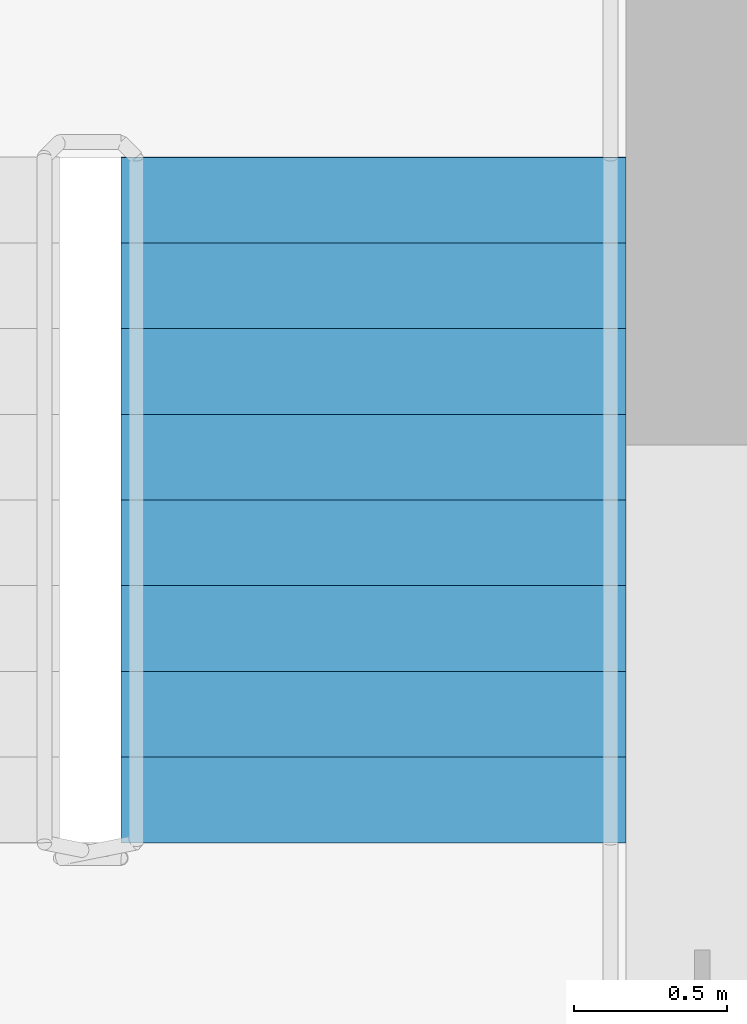
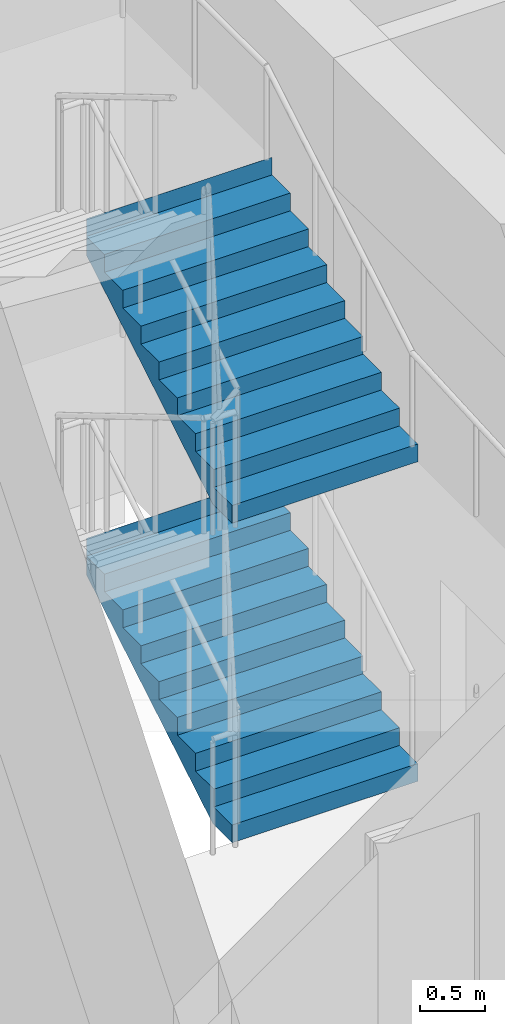
# One storey, part 13 of 15: 2 stair flights, 1 element without a shape of its own.
"""IFC4 building model written with IfcOpenShell, lengths in metres."""

from ifc_helpers import new_model, si_unit, direction, frame, origin, place, context, subcontext, project, spatial, polyline, outline, extrude, material, type_object, element, aggregate, save


model = new_model("IFC4")

# Units and contexts
model_context = context("Model", 3, precision=1e-05, world=origin(), true_north=direction((0.0, 1.0)))
body_context = subcontext(model_context, "Body", "Model", "MODEL_VIEW")
ifc_project = project(units=[si_unit("LENGTHUNIT", "METRE"), si_unit("AREAUNIT", "SQUARE_METRE"), si_unit("VOLUMEUNIT", "CUBIC_METRE"), si_unit("PLANEANGLEUNIT", "RADIAN"), si_unit("MASSUNIT", "GRAM", prefix="KILO")], contexts=[model_context])

# Site, building, storey
site_placement = place(None, origin())
site = spatial("IfcSite", under=ifc_project, at=site_placement, CompositionType="ELEMENT")
building_placement = place(site_placement, origin())
building = spatial("IfcBuilding", under=site, at=building_placement, Name="Tamorin Gate", CompositionType="ELEMENT")
storey_placement = place(building_placement, frame((0.0, 0.0, 308.699951171875)))
storey = spatial("IfcBuildingStorey", under=building, at=storey_placement, Name="L76", CompositionType="ELEMENT", Elevation=308.699951171875)

# Stair, stair flights
ifc_material = material(Name="Concrete C40/50", Category="concrete")
stair_type = type_object("IfcStairType", Name="Exit stair", PredefinedType="HALF_TURN_STAIR", material=ifc_material)
stair_placement = place(storey_placement, origin())
stair = element("IfcStair", 1, at=stair_placement, inside=storey, type_object=stair_type, Name="L76 stair ST2", PredefinedType="HALF_TURN_STAIR")
stair_flight_type = type_object("IfcStairFlightType", Name="Exit stair flight", PredefinedType="STRAIGHT", material=ifc_material)
stair_flight_1_placement = place(storey_placement, frame((33.675048828125, 77.0, 0.0), z_axis=(0.0, 0.0, 1.0), x_axis=(0.0, 1.0, 0.0)))
stair_flight_1 = element("IfcStairFlight", 2, at=stair_flight_1_placement, type_object=stair_flight_type, Name="ST2 flight 1", NumberOfRisers=9, NumberOfTreads=8, PredefinedType="STRAIGHT", RiserHeight=0.166666667, TreadLength=0.28, context=body_context, shape_type="SweptSolid", body=[
    extrude(outline(polyline([(-0.00048828125, 0.0), (-0.00048828125, 0.001708984375), (-0.00048828125, 0.00341796875), (-0.00048828125, 0.0048828125), (-0.00048828125, 0.006591796875), (-0.00048828125, 0.00830078125), (-0.00048828125, 0.010009765625), (-0.00048828125, 0.011474609375), (-0.00048828125, 0.01318359375), (-0.00048828125, 0.014892578125), (-0.00048828125, 0.0166015625), (-0.00048828125, 0.01806640625), (-0.00048828125, 0.019775390625), (-0.00048828125, 0.021484375), (-0.00048828125, 0.023193359375), (-0.00048828125, 0.024658203125), (-0.00048828125, 0.0263671875), (-0.00048828125, 0.028076171875), (-0.00048828125, 0.02978515625), (-0.00048828125, 0.03125), (-0.00048828125, 0.032958984375), (-0.00048828125, 0.03466796875), (-0.00048828125, 0.036376953125), (-0.00048828125, 0.037841796875), (-0.00048828125, 0.03955078125), (-0.00048828125, 0.041259765625), (-0.00048828125, 0.04296875), (-0.00048828125, 0.04443359375), (-0.00048828125, 0.046142578125), (-0.00048828125, 0.0478515625), (-0.00048828125, 0.049560546875), (-0.00048828125, 0.05126953125), (-0.00048828125, 0.052734375), (-0.00048828125, 0.054443359375), (-0.00048828125, 0.05615234375), (-0.00048828125, 0.057861328125), (-0.00048828125, 0.059326171875), (-0.00048828125, 0.06103515625), (-0.00048828125, 0.062744140625), (-0.00048828125, 0.064453125), (-0.00048828125, 0.06591796875), (-0.00048828125, 0.067626953125), (-0.00048828125, 0.0693359375), (-0.00048828125, 0.071044921875), (-0.00048828125, 0.072509765625), (-0.00048828125, 0.07421875), (-0.00048828125, 0.075927734375), (-0.00048828125, 0.07763671875), (-0.00048828125, 0.0791015625), (-0.00048828125, 0.080810546875), (-0.00048828125, 0.08251953125), (-0.00048828125, 0.084228515625), (-0.00048828125, 0.085693359375), (-0.00048828125, 0.08740234375), (-0.00048828125, 0.089111328125), (-0.00048828125, 0.0908203125), (-0.00048828125, 0.092529296875), (-0.00048828125, 0.093994140625), (-0.00048828125, 0.095703125), (-0.00048828125, 0.097412109375), (-0.00048828125, 0.09912109375), (-0.00048828125, 0.1005859375), (-0.00048828125, 0.102294921875), (-0.00048828125, 0.10400390625), (-0.00048828125, 0.105712890625), (-0.00048828125, 0.107177734375), (-0.00048828125, 0.10888671875), (-0.00048828125, 0.110595703125), (-0.00048828125, 0.1123046875), (-0.00048828125, 0.11376953125), (-0.00048828125, 0.115478515625), (-0.00048828125, 0.1171875), (-0.00048828125, 0.118896484375), (-0.00048828125, 0.120361328125), (-0.00048828125, 0.1220703125), (-0.00048828125, 0.123779296875), (-0.00048828125, 0.12548828125), (-0.00048828125, 0.126953125), (-0.00048828125, 0.128662109375), (-0.00048828125, 0.13037109375), (-0.00048828125, 0.132080078125), (-0.00048828125, 0.133544921875), (-0.00048828125, 0.13525390625), (-0.00048828125, 0.136962890625), (-0.00048828125, 0.138671875), (-0.00048828125, 0.140380859375), (-0.00048828125, 0.141845703125), (-0.00048828125, 0.1435546875), (-0.00048828125, 0.145263671875), (-0.00048828125, 0.14697265625), (-0.00048828125, 0.1484375), (-0.00048828125, 0.150146484375), (-0.00048828125, 0.15185546875), (-0.00048828125, 0.153564453125), (-0.00048828125, 0.155029296875), (-0.00048828125, 0.15673828125), (-0.00048828125, 0.158447265625), (-0.00048828125, 0.16015625), (-0.00048828125, 0.16162109375), (-0.00048828125, 0.163330078125), (-0.00048828125, 0.1650390625), (-0.00048828125, 0.166748046875), (0.280029296875, 0.166748046875), (0.280029296875, 0.333251953125), (0.56005859375, 0.333251953125), (0.56005859375, 0.5), (0.840087890625, 0.5), (0.840087890625, 0.666748046875), (1.1201171875, 0.666748046875), (1.1201171875, 0.833251953125), (1.39990234375, 0.833251953125), (1.39990234375, 1.0), (1.679931640625, 1.0), (1.679931640625, 1.166748046875), (1.9599609375, 1.166748046875), (1.9599609375, 1.333251953125), (2.239990234375, 1.333251953125), (2.239990234375, 1.5), (2.240478515625, 1.5), (2.240478515625, 1.49658203125), (2.240478515625, 1.4931640625), (2.240478515625, 1.48974609375), (2.240478515625, 1.486572265625), (2.240478515625, 1.483154296875), (2.240478515625, 1.479736328125), (2.240478515625, 1.476318359375), (2.240478515625, 1.472900390625), (2.240478515625, 1.469482421875), (2.240478515625, 1.46630859375), (2.240478515625, 1.462890625), (2.240478515625, 1.45947265625), (2.240478515625, 1.4560546875), (2.240478515625, 1.45263671875), (2.240478515625, 1.44921875), (2.240478515625, 1.446044921875), (2.240478515625, 1.442626953125), (2.240478515625, 1.439208984375), (2.240478515625, 1.435791015625), (2.240478515625, 1.432373046875), (2.240478515625, 1.428955078125), (2.240478515625, 1.42578125), (2.240478515625, 1.42236328125), (2.240478515625, 1.4189453125), (2.240478515625, 1.41552734375), (2.240478515625, 1.412109375), (2.240478515625, 1.40869140625), (2.240478515625, 1.405517578125), (2.240478515625, 1.402099609375), (2.240478515625, 1.398681640625), (2.240478515625, 1.395263671875), (2.240478515625, 1.391845703125), (2.240478515625, 1.388427734375), (2.240478515625, 1.38525390625), (2.240478515625, 1.3818359375), (2.240478515625, 1.37841796875), (2.240478515625, 1.375), (2.240478515625, 1.37158203125), (2.240478515625, 1.3681640625), (2.240478515625, 1.364990234375), (2.240478515625, 1.361572265625), (2.240478515625, 1.358154296875), (2.240478515625, 1.354736328125), (2.240478515625, 1.351318359375), (2.240478515625, 1.347900390625), (2.240478515625, 1.3447265625), (2.240478515625, 1.34130859375), (2.240478515625, 1.337890625), (2.240478515625, 1.33447265625), (2.240478515625, 1.3310546875), (2.240478515625, 1.32763671875), (2.240478515625, 1.324462890625), (2.240478515625, 1.321044921875), (2.240478515625, 1.317626953125), (2.240478515625, 1.314208984375), (2.240478515625, 1.310791015625), (2.240478515625, 1.307373046875), (2.240478515625, 1.30419921875), (2.240478515625, 1.30078125), (2.240478515625, 1.29736328125), (2.240478515625, 1.2939453125), (2.240478515625, 1.29052734375), (2.240478515625, 1.287109375), (2.240478515625, 1.283935546875), (2.240478515625, 1.280517578125), (2.240478515625, 1.277099609375), (2.240478515625, 1.273681640625), (2.240478515625, 1.270263671875), (2.240478515625, 1.266845703125), (2.240478515625, 1.263671875), (2.240478515625, 1.26025390625), (2.240478515625, 1.2568359375), (2.240478515625, 1.25341796875), (2.240478515625, 1.25), (2.240478515625, 1.24658203125), (2.240478515625, 1.243408203125), (2.240478515625, 1.239990234375), (2.240478515625, 1.236572265625), (2.240478515625, 1.233154296875), (2.240478515625, 1.229736328125), (2.240478515625, 1.226318359375), (2.240478515625, 1.22314453125), (2.240478515625, 1.2197265625), (2.240478515625, 1.21630859375), (2.240478515625, 1.212890625), (2.240478515625, 1.20947265625), (2.240478515625, 1.2060546875), (2.240478515625, 1.202880859375), (2.240478515625, 1.199462890625), (2.240478515625, 1.196044921875), (2.240478515625, 1.192626953125), (2.240478515625, 1.189208984375), (2.240478515625, 1.185791015625), (2.240478515625, 1.1826171875), (2.240478515625, 1.17919921875), (2.240478515625, 1.17578125), (2.240478515625, 1.17236328125), (2.240478515625, 1.1689453125), (2.240478515625, 1.16552734375), (2.240478515625, 1.162353515625), (2.240478515625, 1.158935546875), (2.239990234375, 1.158935546875), (0.29296875, 0.0), (-0.00048828125, 0.0)])), frame((0.0, 0.824951171875, 0.0), z_axis=(0.0, -1.0, 0.0), x_axis=(1.0, 0.0, 0.0)), (0.0, 0.0, 1.0), 1.64990234375),
])
stair_flight_2_placement = place(storey_placement, frame((33.675048828125, 77.0, 3.0), z_axis=(0.0, 0.0, 1.0), x_axis=(0.0, 1.0, 0.0)))
stair_flight_2 = element("IfcStairFlight", 3, at=stair_flight_2_placement, type_object=stair_flight_type, Name="ST2 flight 3", NumberOfRisers=9, NumberOfTreads=8, PredefinedType="STRAIGHT", RiserHeight=0.166666667, TreadLength=0.28, context=body_context, shape_type="SweptSolid", body=[
    extrude(outline(polyline([(-0.00048828125, 0.0), (-0.00048828125, 0.001708984375), (-0.00048828125, 0.00341796875), (-0.00048828125, 0.0048828125), (-0.00048828125, 0.006591796875), (-0.00048828125, 0.00830078125), (-0.00048828125, 0.010009765625), (-0.00048828125, 0.011474609375), (-0.00048828125, 0.01318359375), (-0.00048828125, 0.014892578125), (-0.00048828125, 0.0166015625), (-0.00048828125, 0.01806640625), (-0.00048828125, 0.019775390625), (-0.00048828125, 0.021484375), (-0.00048828125, 0.023193359375), (-0.00048828125, 0.024658203125), (-0.00048828125, 0.0263671875), (-0.00048828125, 0.028076171875), (-0.00048828125, 0.02978515625), (-0.00048828125, 0.03125), (-0.00048828125, 0.032958984375), (-0.00048828125, 0.03466796875), (-0.00048828125, 0.036376953125), (-0.00048828125, 0.037841796875), (-0.00048828125, 0.03955078125), (-0.00048828125, 0.041259765625), (-0.00048828125, 0.04296875), (-0.00048828125, 0.04443359375), (-0.00048828125, 0.046142578125), (-0.00048828125, 0.0478515625), (-0.00048828125, 0.049560546875), (-0.00048828125, 0.05126953125), (-0.00048828125, 0.052734375), (-0.00048828125, 0.054443359375), (-0.00048828125, 0.05615234375), (-0.00048828125, 0.057861328125), (-0.00048828125, 0.059326171875), (-0.00048828125, 0.06103515625), (-0.00048828125, 0.062744140625), (-0.00048828125, 0.064453125), (-0.00048828125, 0.06591796875), (-0.00048828125, 0.067626953125), (-0.00048828125, 0.0693359375), (-0.00048828125, 0.071044921875), (-0.00048828125, 0.072509765625), (-0.00048828125, 0.07421875), (-0.00048828125, 0.075927734375), (-0.00048828125, 0.07763671875), (-0.00048828125, 0.0791015625), (-0.00048828125, 0.080810546875), (-0.00048828125, 0.08251953125), (-0.00048828125, 0.084228515625), (-0.00048828125, 0.085693359375), (-0.00048828125, 0.08740234375), (-0.00048828125, 0.089111328125), (-0.00048828125, 0.0908203125), (-0.00048828125, 0.092529296875), (-0.00048828125, 0.093994140625), (-0.00048828125, 0.095703125), (-0.00048828125, 0.097412109375), (-0.00048828125, 0.09912109375), (-0.00048828125, 0.1005859375), (-0.00048828125, 0.102294921875), (-0.00048828125, 0.10400390625), (-0.00048828125, 0.105712890625), (-0.00048828125, 0.107177734375), (-0.00048828125, 0.10888671875), (-0.00048828125, 0.110595703125), (-0.00048828125, 0.1123046875), (-0.00048828125, 0.11376953125), (-0.00048828125, 0.115478515625), (-0.00048828125, 0.1171875), (-0.00048828125, 0.118896484375), (-0.00048828125, 0.120361328125), (-0.00048828125, 0.1220703125), (-0.00048828125, 0.123779296875), (-0.00048828125, 0.12548828125), (-0.00048828125, 0.126953125), (-0.00048828125, 0.128662109375), (-0.00048828125, 0.13037109375), (-0.00048828125, 0.132080078125), (-0.00048828125, 0.133544921875), (-0.00048828125, 0.13525390625), (-0.00048828125, 0.136962890625), (-0.00048828125, 0.138671875), (-0.00048828125, 0.140380859375), (-0.00048828125, 0.141845703125), (-0.00048828125, 0.1435546875), (-0.00048828125, 0.145263671875), (-0.00048828125, 0.14697265625), (-0.00048828125, 0.1484375), (-0.00048828125, 0.150146484375), (-0.00048828125, 0.15185546875), (-0.00048828125, 0.153564453125), (-0.00048828125, 0.155029296875), (-0.00048828125, 0.15673828125), (-0.00048828125, 0.158447265625), (-0.00048828125, 0.16015625), (-0.00048828125, 0.16162109375), (-0.00048828125, 0.163330078125), (-0.00048828125, 0.1650390625), (-0.00048828125, 0.166748046875), (0.280029296875, 0.166748046875), (0.280029296875, 0.333251953125), (0.56005859375, 0.333251953125), (0.56005859375, 0.5), (0.840087890625, 0.5), (0.840087890625, 0.666748046875), (1.1201171875, 0.666748046875), (1.1201171875, 0.833251953125), (1.39990234375, 0.833251953125), (1.39990234375, 1.0), (1.679931640625, 1.0), (1.679931640625, 1.166748046875), (1.9599609375, 1.166748046875), (1.9599609375, 1.333251953125), (2.239990234375, 1.333251953125), (2.239990234375, 1.5), (2.240478515625, 1.5), (2.240478515625, 1.49658203125), (2.240478515625, 1.4931640625), (2.240478515625, 1.48974609375), (2.240478515625, 1.486572265625), (2.240478515625, 1.483154296875), (2.240478515625, 1.479736328125), (2.240478515625, 1.476318359375), (2.240478515625, 1.472900390625), (2.240478515625, 1.469482421875), (2.240478515625, 1.46630859375), (2.240478515625, 1.462890625), (2.240478515625, 1.45947265625), (2.240478515625, 1.4560546875), (2.240478515625, 1.45263671875), (2.240478515625, 1.44921875), (2.240478515625, 1.446044921875), (2.240478515625, 1.442626953125), (2.240478515625, 1.439208984375), (2.240478515625, 1.435791015625), (2.240478515625, 1.432373046875), (2.240478515625, 1.428955078125), (2.240478515625, 1.42578125), (2.240478515625, 1.42236328125), (2.240478515625, 1.4189453125), (2.240478515625, 1.41552734375), (2.240478515625, 1.412109375), (2.240478515625, 1.40869140625), (2.240478515625, 1.405517578125), (2.240478515625, 1.402099609375), (2.240478515625, 1.398681640625), (2.240478515625, 1.395263671875), (2.240478515625, 1.391845703125), (2.240478515625, 1.388427734375), (2.240478515625, 1.38525390625), (2.240478515625, 1.3818359375), (2.240478515625, 1.37841796875), (2.240478515625, 1.375), (2.240478515625, 1.37158203125), (2.240478515625, 1.3681640625), (2.240478515625, 1.364990234375), (2.240478515625, 1.361572265625), (2.240478515625, 1.358154296875), (2.240478515625, 1.354736328125), (2.240478515625, 1.351318359375), (2.240478515625, 1.347900390625), (2.240478515625, 1.3447265625), (2.240478515625, 1.34130859375), (2.240478515625, 1.337890625), (2.240478515625, 1.33447265625), (2.240478515625, 1.3310546875), (2.240478515625, 1.32763671875), (2.240478515625, 1.324462890625), (2.240478515625, 1.321044921875), (2.240478515625, 1.317626953125), (2.240478515625, 1.314208984375), (2.240478515625, 1.310791015625), (2.240478515625, 1.307373046875), (2.240478515625, 1.30419921875), (2.240478515625, 1.30078125), (2.240478515625, 1.29736328125), (2.240478515625, 1.2939453125), (2.240478515625, 1.29052734375), (2.240478515625, 1.287109375), (2.240478515625, 1.283935546875), (2.240478515625, 1.280517578125), (2.240478515625, 1.277099609375), (2.240478515625, 1.273681640625), (2.240478515625, 1.270263671875), (2.240478515625, 1.266845703125), (2.240478515625, 1.263671875), (2.240478515625, 1.26025390625), (2.240478515625, 1.2568359375), (2.240478515625, 1.25341796875), (2.240478515625, 1.25), (2.240478515625, 1.24658203125), (2.240478515625, 1.243408203125), (2.240478515625, 1.239990234375), (2.240478515625, 1.236572265625), (2.240478515625, 1.233154296875), (2.240478515625, 1.229736328125), (2.240478515625, 1.226318359375), (2.240478515625, 1.22314453125), (2.240478515625, 1.2197265625), (2.240478515625, 1.21630859375), (2.240478515625, 1.212890625), (2.240478515625, 1.20947265625), (2.240478515625, 1.2060546875), (2.240478515625, 1.202880859375), (2.240478515625, 1.199462890625), (2.240478515625, 1.196044921875), (2.240478515625, 1.192626953125), (2.240478515625, 1.189208984375), (2.240478515625, 1.185791015625), (2.240478515625, 1.1826171875), (2.240478515625, 1.17919921875), (2.240478515625, 1.17578125), (2.240478515625, 1.17236328125), (2.240478515625, 1.1689453125), (2.240478515625, 1.16552734375), (2.240478515625, 1.162353515625), (2.240478515625, 1.158935546875), (2.239990234375, 1.158935546875), (0.29296875, 0.0), (-0.00048828125, 0.0)])), frame((0.0, 0.824951171875, 0.0), z_axis=(0.0, -1.0, 0.0), x_axis=(1.0, 0.0, 0.0)), (0.0, 0.0, 1.0), 1.64990234375),
])
aggregate(stair, [stair_flight_1, stair_flight_2])

save(model, "model.ifc")
